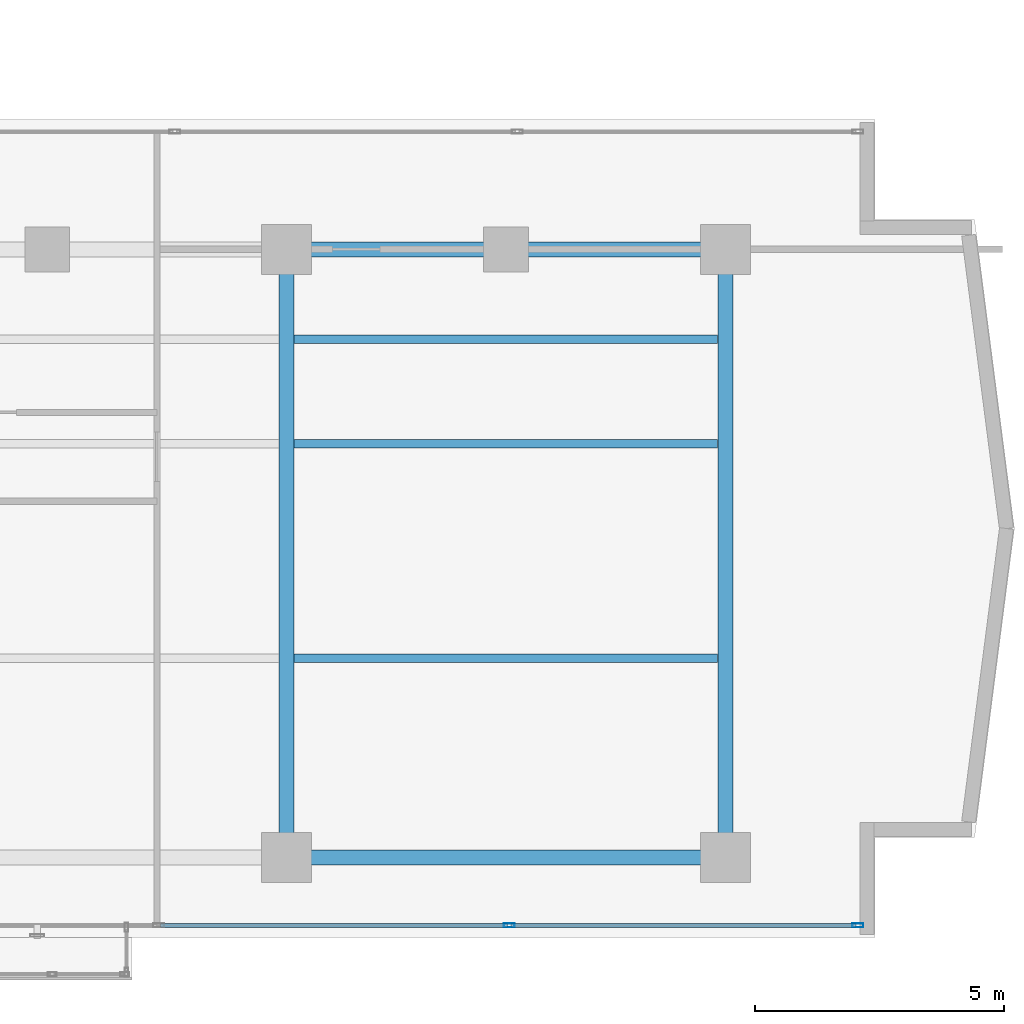
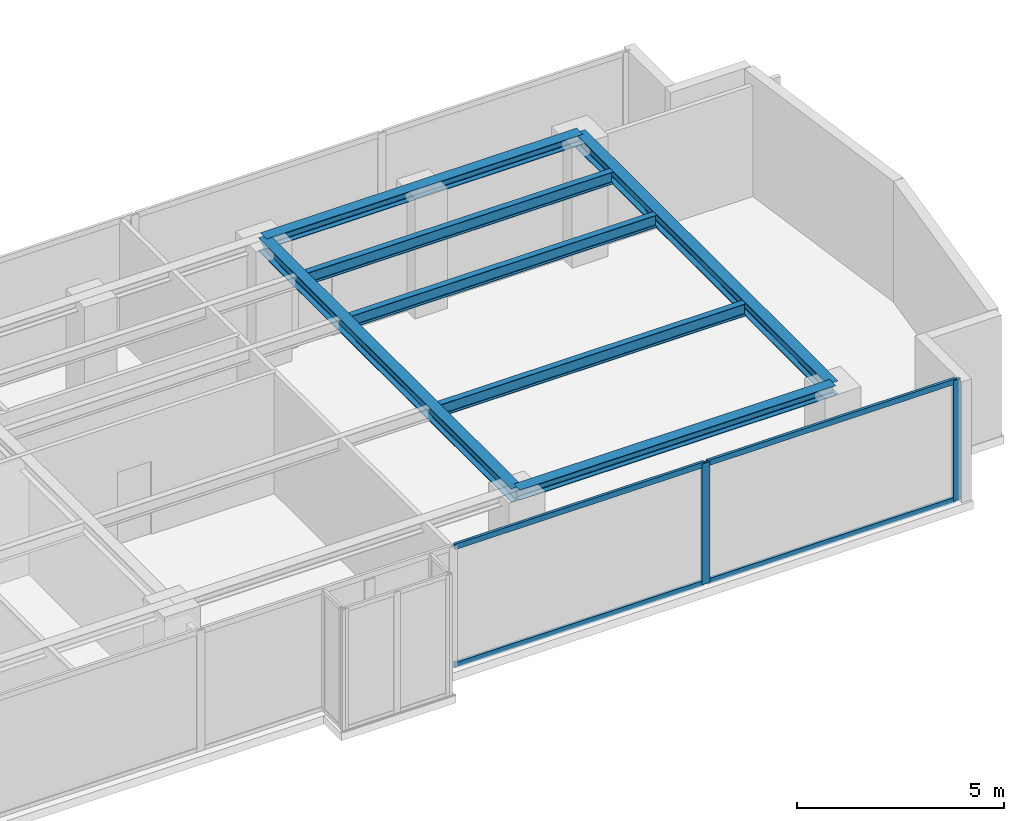
# One storey, part 11 of 23: 7 beams, 6 members, 1 element without a shape of its own.
"""IFC4 building model written with IfcOpenShell, lengths in metres."""

from ifc_helpers import new_model, si_unit, direction, frame, origin, origin_with_axes, origin_2d, place, context, subcontext, project, spatial, hollow_rectangle, i_section, extrude, source, transform, mapped, material, layer, layer_set, material_profile, profile_set, type_object, element, aggregate, save


model = new_model("IFC4")

# Units and contexts
model_context = context("Model", 3, precision=1e-05, world=origin(), true_north=direction((0.0, 1.0)))
body_context = subcontext(model_context, "Body", "Model", "MODEL_VIEW")
ifc_project = project(units=[si_unit("LENGTHUNIT", "METRE"), si_unit("AREAUNIT", "SQUARE_METRE"), si_unit("VOLUMEUNIT", "CUBIC_METRE"), si_unit("PLANEANGLEUNIT", "RADIAN"), si_unit("MASSUNIT", "GRAM", prefix="KILO")], contexts=[model_context])

# Site, building, storey
site_placement = place(None, origin())
site = spatial("IfcSite", under=ifc_project, at=site_placement, CompositionType="ELEMENT")
building_placement = place(site_placement, origin())
building = spatial("IfcBuilding", under=site, at=building_placement, Name="Kolvaren Waterfront Exchange", CompositionType="ELEMENT")
storey_placement = place(building_placement, frame((0.0, 0.0, 234.89990234375)))
storey = spatial("IfcBuildingStorey", under=building, at=storey_placement, Name="L60", CompositionType="ELEMENT", Elevation=234.89990234375)

# Beams
ifc_material_1 = material(Name="Steel S355", Category="steel")
ifc_material_profile_1 = material_profile(ifc_material_1, i_section(OverallWidth=0.300048828125, OverallDepth=0.300048828125, WebThickness=0.010986328125, FlangeThickness=0.01904296875, FilletRadius=0.027099609375, at=origin_2d()), Name="HEB300")
ifc_profile_set_1 = profile_set([ifc_material_profile_1], Name="Steel S355")
beam_type_1 = type_object("IfcBeamType", Name="STR-BM-HEB300", PredefinedType="SPANDREL", material=ifc_profile_set_1)
for number, where, z_axis, x_axis, name in (
    (1, (36.800048828125, 5.199951171875, 3.41015625), (1.0, 0.0, 0.0), (0.0, 1.0, 0.0), "L60 east-arm spandrel S3"),
    (2, (36.800048828125, 17.39990234375, 3.41015625), (1.0, 0.0, 0.0), (0.0, 1.0, 0.0), "L60 east-arm spandrel N3"),
):
    element("IfcBeam", number, at=place(storey_placement, frame(where, z_axis=z_axis, x_axis=x_axis)), inside=storey, type_object=beam_type_1, Name=name, PredefinedType="SPANDREL", context=body_context, shape_type="SweptSolid", body=[
        extrude(i_section(OverallWidth=0.300048828125, OverallDepth=0.300048828125, WebThickness=0.010986328125, FlangeThickness=0.01904296875, FilletRadius=0.027099609375, at=origin_2d()), origin(), (0.0, 0.0, 1.0), 8.800048828125),
    ])
ifc_material_profile_2 = material_profile(ifc_material_1, i_section(OverallWidth=0.300048828125, OverallDepth=0.39990234375, WebThickness=0.013427734375, FlangeThickness=0.02392578125, FilletRadius=0.027099609375, at=origin_2d()), Name="HEB400")
ifc_profile_set_2 = profile_set([ifc_material_profile_2], Name="Steel S355")
beam_type_2 = type_object("IfcBeamType", Name="STR-BM-HEB400", PredefinedType="BEAM", material=ifc_profile_set_2)
for number, where, z_axis, x_axis, name in (
    (3, (36.800048828125, 5.199951171875, 3.360107421875), (0.0, 1.0, 0.0), (-1.0, 0.0, 0.0), "L60 east-arm transverse girder X36"),
    (4, (45.60009765625, 5.199951171875, 3.360107421875), (0.0, 1.0, 0.0), (-1.0, 0.0, 0.0), "L60 east-arm transverse girder X45"),
):
    element("IfcBeam", number, at=place(storey_placement, frame(where, z_axis=z_axis, x_axis=x_axis)), inside=storey, type_object=beam_type_2, Name=name, PredefinedType="BEAM", context=body_context, shape_type="SweptSolid", body=[
        extrude(i_section(OverallWidth=0.300048828125, OverallDepth=0.39990234375, WebThickness=0.013427734375, FlangeThickness=0.02392578125, FilletRadius=0.027099609375, at=origin_2d()), origin(), (0.0, 0.0, 1.0), 12.199951171875),
    ])
ifc_material_profile_3 = material_profile(ifc_material_1, i_section(OverallWidth=0.169921875, OverallDepth=0.360107421875, WebThickness=0.008056640625, FlangeThickness=0.0126953125, FilletRadius=0.01806640625, at=origin_2d()), Name="IPE360")
ifc_profile_set_3 = profile_set([ifc_material_profile_3], Name="Steel S355")
beam_type_3 = type_object("IfcBeamType", Name="STR-BM-IPE360", PredefinedType="JOIST", material=ifc_profile_set_3)
for number, where, z_axis, x_axis, name in (
    (5, (36.951904296875, 13.5, 3.380126953125), (1.0, 0.0, 0.0), (0.0, 1.0, 0.0), "L60 east-arm composite joist 3A"),
    (6, (36.951904296875, 15.60009765625, 3.380126953125), (1.0, 0.0, 0.0), (0.0, 1.0, 0.0), "L60 east-arm composite joist 3C"),
    (7, (36.951904296875, 9.199951171875, 3.380126953125), (1.0, 0.0, 0.0), (0.0, 1.0, 0.0), "L60 east-arm composite joist 3B"),
):
    element("IfcBeam", number, at=place(storey_placement, frame(where, z_axis=z_axis, x_axis=x_axis)), inside=storey, type_object=beam_type_3, Name=name, PredefinedType="JOIST", context=body_context, shape_type="SweptSolid", body=[
        extrude(i_section(OverallWidth=0.169921875, OverallDepth=0.360107421875, WebThickness=0.008056640625, FlangeThickness=0.0126953125, FilletRadius=0.01806640625, at=origin_2d()), origin(), (0.0, 0.0, 1.0), 8.49609375),
    ])

# Curtain wall, members
ifc_material_2 = material(Name="Anodised bronze aluminium 6063-T6", Category="aluminium")
ifc_layer = layer(ifc_material_2, 0.219970703125, Name="Anodised bronze aluminium 6063-T6")
ifc_layer_set = layer_set([ifc_layer], Name="Anodised bronze aluminium 6063-T6")
curtain_wall_type = type_object("IfcCurtainWallType", Name="ARC-CW-SYS1", PredefinedType="USERDEFINED", material=ifc_layer_set)
curtain_wall_placement = place(storey_placement, origin())
curtain_wall = element("IfcCurtainWall", 8, at=curtain_wall_placement, inside=storey, type_object=curtain_wall_type, Name="L60 stick curtain wall CW1 (CW-L60-S)", ObjectType="STICK CURTAIN WALL", PredefinedType="USERDEFINED")
ifc_material_3 = material(Name="Anodised aluminium 6063-T6", Category="aluminium")
ifc_material_profile_4 = material_profile(ifc_material_3, hollow_rectangle(XDim=0.080078125, YDim=0.219970703125, WallThickness=0.0048828125, at=origin_2d()), Name="ALU-MUL-220x80x5")
ifc_profile_set_4 = profile_set([ifc_material_profile_4], Name="Anodised aluminium 6063-T6")
member_type_1 = type_object("IfcMemberType", Name="ARC-CWM-220", PredefinedType="MULLION", material=ifc_profile_set_4)
shared_shape_1 = source(origin_with_axes(), body_context, "Body", "SweptSolid", [
    extrude(hollow_rectangle(XDim=0.080078125, YDim=0.219970703125, WallThickness=0.0048828125, at=origin_2d()), origin(), (0.0, 0.0, 1.0), 3.56005859375),
])
member_1_placement = place(storey_placement, frame((41.2666015625, 3.840087890625, 0.0), z_axis=(0.0, 0.0, 1.0), x_axis=(0.0, 1.0, 0.0)))
member_1 = element("IfcMember", 9, at=member_1_placement, type_object=member_type_1, Name="CW1 mullion 6", PredefinedType="MULLION", context=body_context, shape_type="MappedRepresentation", body=[
    mapped(shared_shape_1, transform((0.0, 0.0, 0.0), x_axis=(1.0, 0.0, 0.0), y_axis=(0.0, 1.0, 0.0), z_axis=(0.0, 0.0, 1.0), scale=1.0)),
])
member_2_placement = place(storey_placement, frame((48.260009765625, 3.840087890625, 0.0), z_axis=(0.0, 0.0, 1.0), x_axis=(0.0, 1.0, 0.0)))
member_2 = element("IfcMember", 10, at=member_2_placement, type_object=member_type_1, Name="CW1 mullion 7", PredefinedType="MULLION", context=body_context, shape_type="MappedRepresentation", body=[
    mapped(shared_shape_1, transform((0.0, 0.0, 0.0), x_axis=(1.0, 0.0, 0.0), y_axis=(0.0, 1.0, 0.0), z_axis=(0.0, 0.0, 1.0), scale=1.0)),
])
ifc_material_profile_5 = material_profile(ifc_material_3, hollow_rectangle(XDim=0.074951171875, YDim=0.159912109375, WallThickness=0.00439453125, at=origin_2d()), Name="ALU-TRN-160x75x4.5")
ifc_profile_set_5 = profile_set([ifc_material_profile_5], Name="Anodised aluminium 6063-T6")
member_type_2 = type_object("IfcMemberType", Name="ARC-CWT-160", PredefinedType="USERDEFINED", material=ifc_profile_set_5)
shared_shape_2 = source(origin_with_axes(), body_context, "Body", "SweptSolid", [
    extrude(hollow_rectangle(XDim=0.074951171875, YDim=0.159912109375, WallThickness=0.00439453125, at=origin_2d()), origin(), (0.0, 0.0, 1.0), 6.913330078125),
])
member_3_placement = place(storey_placement, frame((41.306640625, 3.840087890625, 0.03759765625), z_axis=(1.0, 0.0, 0.0), x_axis=(0.0, 1.0, 0.0)))
member_3 = element("IfcMember", 11, at=member_3_placement, type_object=member_type_2, Name="CW1 transom 6.1", ObjectType="TRANSOM", PredefinedType="USERDEFINED", context=body_context, shape_type="MappedRepresentation", body=[
    mapped(shared_shape_2, transform((0.0, 0.0, 0.0), x_axis=(1.0, 0.0, 0.0), y_axis=(0.0, 1.0, 0.0), z_axis=(0.0, 0.0, 1.0), scale=1.0)),
])
member_4_placement = place(storey_placement, frame((41.306640625, 3.840087890625, 3.522705078125), z_axis=(1.0, 0.0, 0.0), x_axis=(0.0, 1.0, 0.0)))
member_4 = element("IfcMember", 12, at=member_4_placement, type_object=member_type_2, Name="CW1 transom 6.2", ObjectType="TRANSOM", PredefinedType="USERDEFINED", context=body_context, shape_type="MappedRepresentation", body=[
    mapped(shared_shape_2, transform((0.0, 0.0, 0.0), x_axis=(1.0, 0.0, 0.0), y_axis=(0.0, 1.0, 0.0), z_axis=(0.0, 0.0, 1.0), scale=1.0)),
])
shared_shape_3 = source(origin_with_axes(), body_context, "Body", "SweptSolid", [
    extrude(hollow_rectangle(XDim=0.074951171875, YDim=0.159912109375, WallThickness=0.00439453125, at=origin_2d()), origin(), (0.0, 0.0, 1.0), 6.953125),
])
member_5_placement = place(storey_placement, frame((34.2734375, 3.840087890625, 0.03759765625), z_axis=(1.0, 0.0, 0.0), x_axis=(0.0, 1.0, 0.0)))
member_5 = element("IfcMember", 13, at=member_5_placement, type_object=member_type_2, Name="CW1 transom 5.1", ObjectType="TRANSOM", PredefinedType="USERDEFINED", context=body_context, shape_type="MappedRepresentation", body=[
    mapped(shared_shape_3, transform((0.0, 0.0, 0.0), x_axis=(1.0, 0.0, 0.0), y_axis=(0.0, 1.0, 0.0), z_axis=(0.0, 0.0, 1.0), scale=1.0)),
])
member_6_placement = place(storey_placement, frame((34.2734375, 3.840087890625, 3.522705078125), z_axis=(1.0, 0.0, 0.0), x_axis=(0.0, 1.0, 0.0)))
member_6 = element("IfcMember", 14, at=member_6_placement, type_object=member_type_2, Name="CW1 transom 5.2", ObjectType="TRANSOM", PredefinedType="USERDEFINED", context=body_context, shape_type="MappedRepresentation", body=[
    mapped(shared_shape_3, transform((0.0, 0.0, 0.0), x_axis=(1.0, 0.0, 0.0), y_axis=(0.0, 1.0, 0.0), z_axis=(0.0, 0.0, 1.0), scale=1.0)),
])
aggregate(curtain_wall, [member_1, member_2, member_5, member_6, member_3, member_4])

save(model, "model.ifc")
